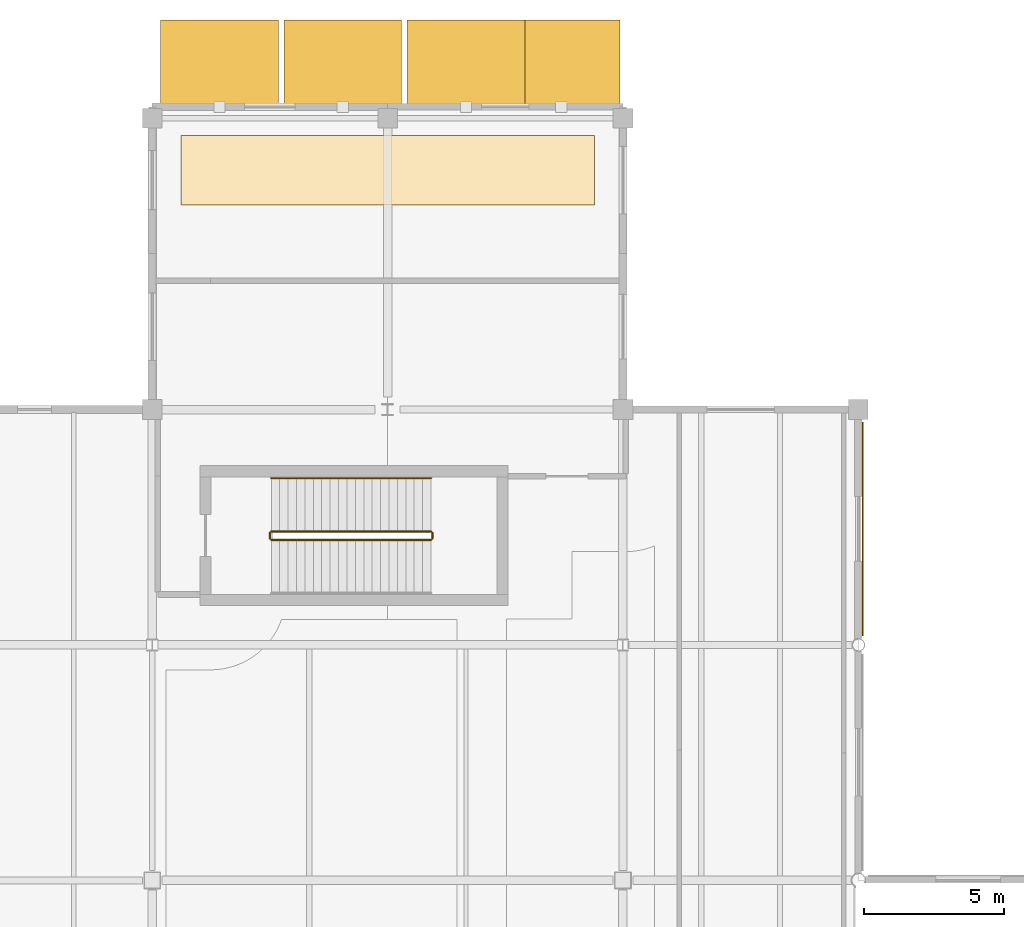
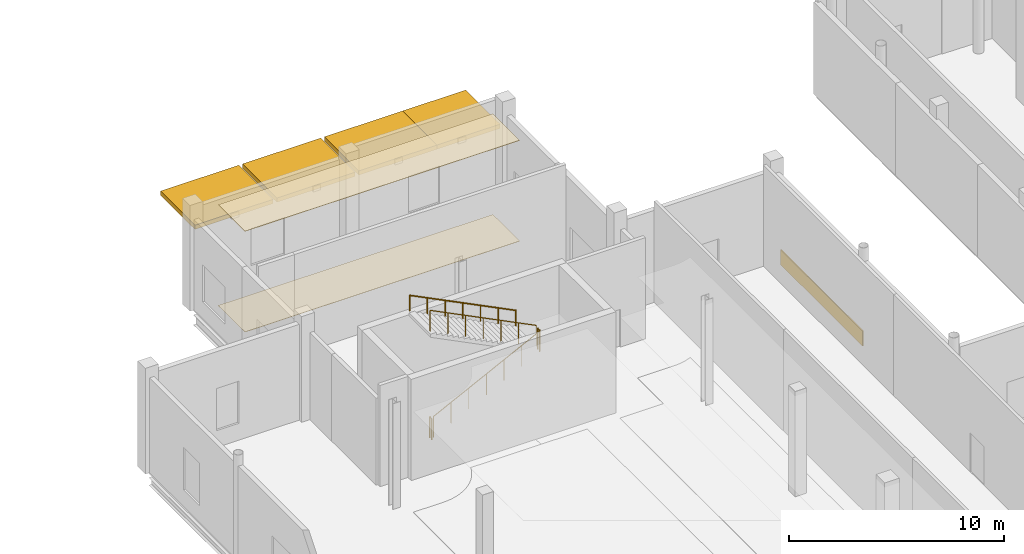
# One storey, part 79 of 85: 5 railings, 4 shading devices, 3 coverings.
"""IFC4 building model written with IfcOpenShell, lengths in metres."""

from ifc_helpers import new_model, si_unit, direction, frame, origin, origin_2d, place, context, subcontext, project, spatial, polyline, rectangle, circle, outline, extrude, material, layer, layer_set, type_object, element, save


model = new_model("IFC4")

# Units and contexts
model_context = context("Model", 3, precision=1e-05, world=origin(), true_north=direction((0.0, 1.0)))
body_context = subcontext(model_context, "Body", "Model", "MODEL_VIEW")
ifc_project = project(units=[si_unit("LENGTHUNIT", "METRE"), si_unit("AREAUNIT", "SQUARE_METRE"), si_unit("VOLUMEUNIT", "CUBIC_METRE"), si_unit("PLANEANGLEUNIT", "RADIAN"), si_unit("MASSUNIT", "GRAM", prefix="KILO"), si_unit("THERMODYNAMICTEMPERATUREUNIT", "KELVIN")], contexts=[model_context])

# Site, building, storey
site_placement = place(None, origin())
site = spatial("IfcSite", under=ifc_project, at=site_placement, CompositionType="ELEMENT")
building_placement = place(site_placement, origin())
building = spatial("IfcBuilding", under=site, at=building_placement, Name="Lustrewick Department Store", CompositionType="ELEMENT")
storey_placement = place(building_placement, origin())
storey = spatial("IfcBuildingStorey", under=building, at=storey_placement, Name="L01", CompositionType="ELEMENT", Elevation=0.0)

# Coverings
ifc_material_1 = material(Name="Rusticated Fangshan cream limestone", Category="masonry")
ifc_layer_1 = layer(ifc_material_1, 0.050048828125, Name="Rusticated Fangshan cream limestone")
ifc_layer_set_1 = layer_set([ifc_layer_1], Name="Rusticated Fangshan cream limestone")
covering_type_1 = type_object("IfcCoveringType", Name="CLD-LIME", PredefinedType="CLADDING", material=ifc_layer_set_1)
covering_1_placement = place(storey_placement, frame((100.955078125, 96.539306640625, 0.02490234375), z_axis=(0.0, 0.0, 1.0), x_axis=(0.0, 1.0, 0.0)))
element("IfcCovering", 1, at=covering_1_placement, inside=storey, type_object=covering_type_1, Name="L01 Limestone Plinth Band 028", PredefinedType="CLADDING", context=body_context, shape_type="SweptSolid", body=[
    extrude(rectangle(XDim=7.631591796875, YDim=0.050048828125, at=origin_2d()), origin(), (0.0, 0.0, 1.0), 0.85009765625),
])
ifc_material_2 = material(Name="Perforated mineral-fibre acoustic ceiling board", Category="gypsum")
ifc_layer_2 = layer(ifc_material_2, 0.02490234375, Name="Perforated mineral-fibre acoustic ceiling board")
ifc_layer_set_2 = layer_set([ifc_layer_2], Name="Perforated mineral-fibre acoustic ceiling board")
covering_type_2 = type_object("IfcCoveringType", Name="COV-CEIL", PredefinedType="CEILING", material=ifc_layer_set_2)
covering_2_placement = place(storey_placement, frame((0.0, 0.0, 5.719970703125)))
element("IfcCovering", 2, at=covering_2_placement, inside=storey, type_object=covering_type_2, Name="L01 V2 Retail Merchandise Gallery 2 Acoustic Ceiling", PredefinedType="CEILING", context=body_context, shape_type="SweptSolid", body=[
    extrude(outline(polyline([(76.6201171875, 108.090087890625), (91.3798828125, 108.090087890625), (91.3798828125, 110.580078125), (76.6201171875, 110.580078125), (76.6201171875, 108.090087890625)])), origin(), (0.0, 0.0, 1.0), 0.025146484375),
])
ifc_material_3 = material(Name="Polished terrazzo and porcelain floor finish", Category="masonry")
ifc_layer_3 = layer(ifc_material_3, 0.02001953125, Name="Polished terrazzo and porcelain floor finish")
ifc_layer_set_3 = layer_set([ifc_layer_3], Name="Polished terrazzo and porcelain floor finish")
covering_type_3 = type_object("IfcCoveringType", Name="COV-FLR", PredefinedType="FLOORING", material=ifc_layer_set_3)
covering_3_placement = place(storey_placement, origin())
element("IfcCovering", 3, at=covering_3_placement, inside=storey, type_object=covering_type_3, Name="L01 V2 Retail Merchandise Gallery 2 Terrazzo Flooring", PredefinedType="FLOORING", context=body_context, shape_type="SweptSolid", body=[
    extrude(outline(polyline([(76.6201171875, 108.090087890625), (91.3798828125, 108.090087890625), (91.3798828125, 110.580078125), (76.6201171875, 110.580078125), (76.6201171875, 108.090087890625)])), origin(), (0.0, 0.0, 1.0), 0.02001953125),
])

# Railings
ifc_material_4 = material(Name="Painted tubular steel stairwell guardrail", Category="steel")
railing_type_1 = type_object("IfcRailingType", Name="RL-STG", PredefinedType="GUARDRAIL", material=ifc_material_4)
railing_1_placement = place(storey_placement, frame((79.85009765625, 96.14990234375, 0.14990234375)))
element("IfcRailing", 4, at=railing_1_placement, inside=storey, type_object=railing_type_1, Name="L01 ST06 Stair Guard 1", PredefinedType="GUARDRAIL", context=body_context, shape_type="SweptSolid", body=[
    extrude(circle(Radius=0.02392578125, at=origin_2d()), frame((0.0, 0.0, 1.17578125), z_axis=(0.894419528903, 0.0, 0.447228919365), x_axis=(0.0, 1.0, 0.0)), (0.0, 0.0, 1.0), 6.372802734375),
    extrude(circle(Radius=0.02099609375, at=origin_2d()), origin(), (0.0, 0.0, 1.0), 1.15185546875),
    extrude(circle(Radius=0.02099609375, at=origin_2d()), frame((0.949951171875, 0.0, 0.47509765625)), (0.0, 0.0, 1.0), 1.15185546875),
    extrude(circle(Radius=0.02099609375, at=origin_2d()), frame((1.89990234375, 0.0, 0.949951171875)), (0.0, 0.0, 1.0), 1.15185546875),
    extrude(circle(Radius=0.02099609375, at=origin_2d()), frame((2.85009765625, 0.0, 1.425048828125)), (0.0, 0.0, 1.0), 1.15185546875),
    extrude(circle(Radius=0.02099609375, at=origin_2d()), frame((3.800048828125, 0.0, 1.900146484375)), (0.0, 0.0, 1.0), 1.15185546875),
    extrude(circle(Radius=0.02099609375, at=origin_2d()), frame((4.75, 0.0, 2.375)), (0.0, 0.0, 1.0), 1.15185546875),
    extrude(circle(Radius=0.02099609375, at=origin_2d()), frame((5.699951171875, 0.0, 2.85009765625)), (0.0, 0.0, 1.0), 1.15185546875),
])
railing_2_placement = place(storey_placement, frame((85.60009765625, 96.199951171875, 3.0)))
element("IfcRailing", 5, at=railing_2_placement, inside=storey, type_object=railing_type_1, Name="L01 ST06 Stair Guard 2", PredefinedType="GUARDRAIL", context=body_context, shape_type="SweptSolid", body=[
    extrude(circle(Radius=0.02392578125, at=origin_2d()), frame((0.0, 0.0, 1.17578125), z_axis=(0.0, 1.0, 0.0), x_axis=(-1.0, 0.0, 0.0)), (0.0, 0.0, 1.0), 0.199951171875),
    extrude(circle(Radius=0.02099609375, at=origin_2d()), origin(), (0.0, 0.0, 1.0), 1.15185546875),
    extrude(circle(Radius=0.02099609375, at=origin_2d()), frame((0.0, 0.199951171875, 0.0)), (0.0, 0.0, 1.0), 1.15185546875),
])
railing_3_placement = place(storey_placement, frame((85.550048828125, 96.449951171875, 3.14990234375)))
element("IfcRailing", 6, at=railing_3_placement, inside=storey, type_object=railing_type_1, Name="L01 ST06 Stair Guard 3", PredefinedType="GUARDRAIL", context=body_context, shape_type="SweptSolid", body=[
    extrude(circle(Radius=0.02392578125, at=origin_2d()), frame((0.0, 0.0, 1.17578125), z_axis=(-0.894419528903, 0.0, 0.447228919365), x_axis=(0.0, -1.0, 0.0)), (0.0, 0.0, 1.0), 6.372802734375),
    extrude(circle(Radius=0.02099609375, at=origin_2d()), origin(), (0.0, 0.0, 1.0), 1.15185546875),
    extrude(circle(Radius=0.02099609375, at=origin_2d()), frame((-0.949951171875, 0.0, 0.47509765625)), (0.0, 0.0, 1.0), 1.15185546875),
    extrude(circle(Radius=0.02099609375, at=origin_2d()), frame((-1.89990234375, 0.0, 0.949951171875)), (0.0, 0.0, 1.0), 1.15185546875),
    extrude(circle(Radius=0.02099609375, at=origin_2d()), frame((-2.85009765625, 0.0, 1.425048828125)), (0.0, 0.0, 1.0), 1.15185546875),
    extrude(circle(Radius=0.02099609375, at=origin_2d()), frame((-3.800048828125, 0.0, 1.900146484375)), (0.0, 0.0, 1.0), 1.15185546875),
    extrude(circle(Radius=0.02099609375, at=origin_2d()), frame((-4.75, 0.0, 2.375)), (0.0, 0.0, 1.0), 1.15185546875),
    extrude(circle(Radius=0.02099609375, at=origin_2d()), frame((-5.699951171875, 0.0, 2.85009765625)), (0.0, 0.0, 1.0), 1.15185546875),
])
railing_4_placement = place(storey_placement, frame((79.800048828125, 96.199951171875, 0.0)))
element("IfcRailing", 7, at=railing_4_placement, inside=storey, type_object=railing_type_1, Name="L01 ST06 Stair Guard 4", PredefinedType="GUARDRAIL", context=body_context, shape_type="SweptSolid", body=[
    extrude(circle(Radius=0.02392578125, at=origin_2d()), frame((0.0, 0.0, 1.17578125), z_axis=(0.0, 1.0, 0.0), x_axis=(-1.0, 0.0, 0.0)), (0.0, 0.0, 1.0), 0.199951171875),
    extrude(circle(Radius=0.02099609375, at=origin_2d()), origin(), (0.0, 0.0, 1.0), 1.15185546875),
    extrude(circle(Radius=0.02099609375, at=origin_2d()), frame((0.0, 0.199951171875, 0.0)), (0.0, 0.0, 1.0), 1.15185546875),
])
ifc_material_5 = material(Name="Brushed stainless steel wall handrail", Category="steel")
railing_type_2 = type_object("IfcRailingType", Name="RL-STH", PredefinedType="HANDRAIL", material=ifc_material_5)
railing_5_placement = place(storey_placement, frame((85.550048828125, 98.35009765625, 3.14990234375)))
element("IfcRailing", 8, at=railing_5_placement, inside=storey, type_object=railing_type_2, Name="L01 ST06 Stair Handrail 2", PredefinedType="HANDRAIL", context=body_context, shape_type="SweptSolid", body=[
    extrude(circle(Radius=0.02392578125, at=origin_2d()), frame((0.0, 0.0, 0.8759765625), z_axis=(-0.894419528903, 0.0, 0.447228919365), x_axis=(0.0, -1.0, 0.0)), (0.0, 0.0, 1.0), 6.372802734375),
    extrude(circle(Radius=0.02099609375, at=origin_2d()), origin(), (0.0, 0.0, 1.0), 0.851806640625),
    extrude(circle(Radius=0.02099609375, at=origin_2d()), frame((-0.949951171875, 0.0, 0.47509765625)), (0.0, 0.0, 1.0), 0.851806640625),
    extrude(circle(Radius=0.02099609375, at=origin_2d()), frame((-1.89990234375, 0.0, 0.949951171875)), (0.0, 0.0, 1.0), 0.851806640625),
    extrude(circle(Radius=0.02099609375, at=origin_2d()), frame((-2.85009765625, 0.0, 1.425048828125)), (0.0, 0.0, 1.0), 0.851806640625),
    extrude(circle(Radius=0.02099609375, at=origin_2d()), frame((-3.800048828125, 0.0, 1.900146484375)), (0.0, 0.0, 1.0), 0.851806640625),
    extrude(circle(Radius=0.02099609375, at=origin_2d()), frame((-4.75, 0.0, 2.375)), (0.0, 0.0, 1.0), 0.851806640625),
    extrude(circle(Radius=0.02099609375, at=origin_2d()), frame((-5.699951171875, 0.0, 2.85009765625)), (0.0, 0.0, 1.0), 0.851806640625),
])

# Shading devices
ifc_material_6 = material(Name="Charcoal-black painted steel and laminated glass marquise", Category="steel")
shading_device_type = type_object("IfcShadingDeviceType", Name="SHD-MARQ", PredefinedType="AWNING", material=ifc_material_6)
for number, where, z_axis, x_axis, name in (
    (9, (78.0, 113.10009765625, 4.02978515625), (0.0, 0.0, 1.0), (1.0, 0.0, 0.0), "L01 Art Nouveau Entrance Marquise 01"),
    (10, (82.39990234375, 113.10009765625, 4.02978515625), (0.0, 0.0, 1.0), (1.0, 0.0, 0.0), "L01 Art Nouveau Entrance Marquise 02"),
    (11, (86.800048828125, 113.10009765625, 4.02978515625), (0.0, 0.0, 1.0), (1.0, 0.0, 0.0), "L01 Art Nouveau Entrance Marquise 03"),
    (12, (90.199951171875, 113.10009765625, 4.02978515625), (0.0, 0.0, 1.0), (1.0, 0.0, 0.0), "L01 Art Nouveau Entrance Marquise 04"),
):
    element("IfcShadingDevice", number, at=place(storey_placement, frame(where, z_axis=z_axis, x_axis=x_axis)), inside=storey, type_object=shading_device_type, Name=name, PredefinedType="AWNING", context=body_context, shape_type="SweptSolid", body=[
        extrude(rectangle(XDim=4.199951171875, YDim=3.199951171875, at=origin_2d()), origin(), (0.0, 0.0, 1.0), 0.239990234375),
    ])

save(model, "model.ifc")
